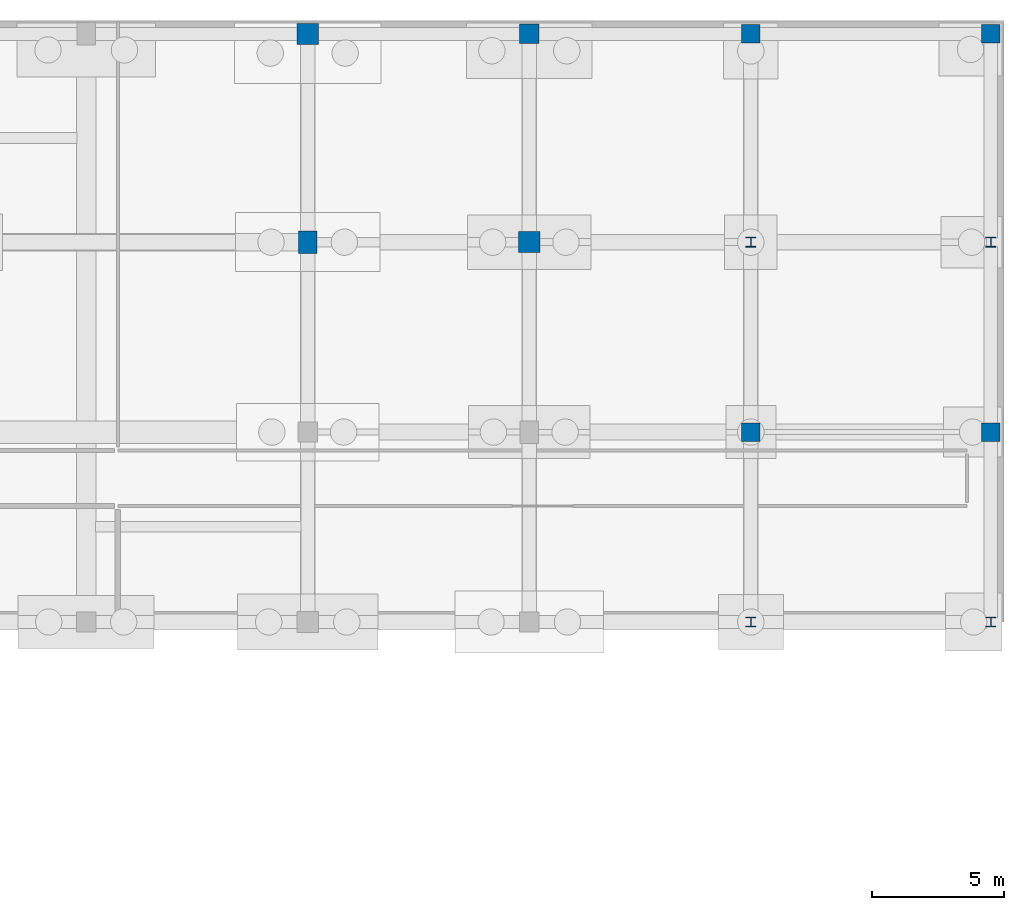
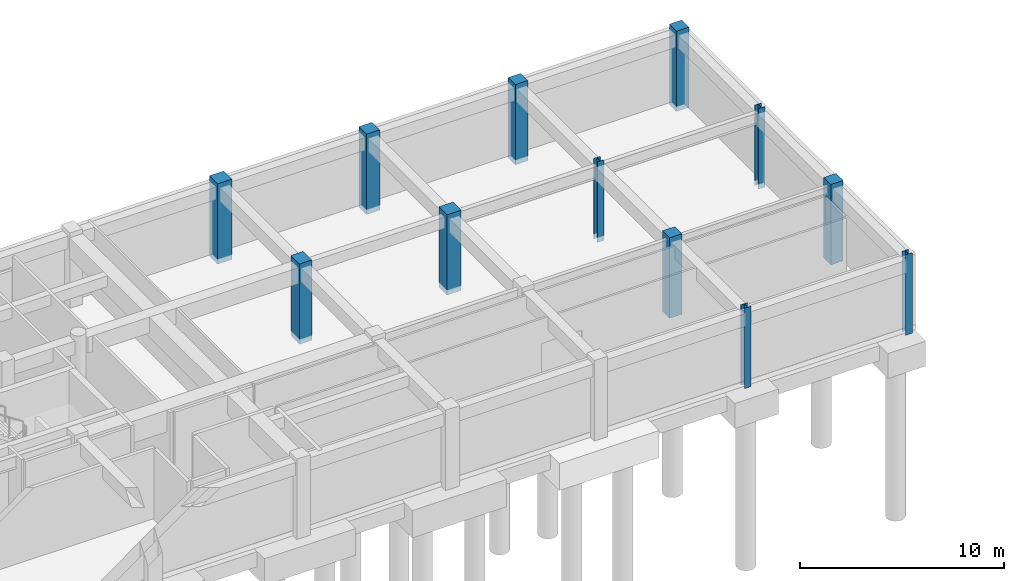
# One storey, part 18 of 42: 12 columns.
"""IFC4 building model written with IfcOpenShell, lengths in metres."""

from ifc_helpers import new_model, si_unit, direction, frame, origin, origin_2d, place, context, subcontext, project, spatial, rectangle, i_section, extrude, material, material_profile, profile_set, type_object, element, save


model = new_model("IFC4")

# Units and contexts
model_context = context("Model", 3, precision=1e-05, world=origin(), true_north=direction((0.0, 1.0)))
body_context = subcontext(model_context, "Body", "Model", "MODEL_VIEW")
ifc_project = project(units=[si_unit("LENGTHUNIT", "METRE"), si_unit("AREAUNIT", "SQUARE_METRE"), si_unit("VOLUMEUNIT", "CUBIC_METRE"), si_unit("PLANEANGLEUNIT", "RADIAN"), si_unit("MASSUNIT", "GRAM", prefix="KILO")], contexts=[model_context])

# Site, building, storey
site_placement = place(None, origin())
site = spatial("IfcSite", under=ifc_project, at=site_placement, CompositionType="ELEMENT")
building_placement = place(site_placement, origin())
building = spatial("IfcBuilding", under=site, at=building_placement, Name="Quendrovan Civic Courthouse", CompositionType="ELEMENT")
storey_placement = place(building_placement, frame((0.0, 0.0, -4.5)))
storey = spatial("IfcBuildingStorey", under=building, at=storey_placement, Name="B1", CompositionType="ELEMENT", Elevation=-4.5)

# Columns
ifc_material_1 = material(Name="Concrete C40/50", Category="concrete")
ifc_material_profile_1 = material_profile(ifc_material_1, rectangle(XDim=0.699951171875, YDim=0.85009765625, at=origin_2d()), Name="RC-COL-700x850")
ifc_profile_set_1 = profile_set([ifc_material_profile_1], Name="Concrete C40/50")
column_type_1 = type_object("IfcColumnType", Name="COL-RC-700x850", PredefinedType="COLUMN", material=ifc_profile_set_1)
column_1_placement = place(storey_placement, frame((134.39990234375, 102.0, -0.300048828125), z_axis=(0.0, 0.0, 1.0), x_axis=(1.0, 0.0, 0.0)))
element("IfcColumn", 1, at=column_1_placement, inside=storey, type_object=column_type_1, Name="B1 Column 17-P", PredefinedType="COLUMN", context=body_context, shape_type="SweptSolid", body=[
    extrude(rectangle(XDim=0.699951171875, YDim=0.85009765625, at=origin_2d()), origin(), (0.0, 0.0, 1.0), 4.800048828125),
])
ifc_material_2 = material(Name="Concrete C45/55", Category="concrete")
ifc_material_profile_2 = material_profile(ifc_material_2, rectangle(XDim=0.699951171875, YDim=0.699951171875, at=origin_2d()), Name="RC-COL-700x700")
ifc_profile_set_2 = profile_set([ifc_material_profile_2], Name="Concrete C45/55")
column_type_2 = type_object("IfcColumnType", Name="COL-RC700", PredefinedType="COLUMN", material=ifc_profile_set_2)
for number, where, z_axis, x_axis, name in (
    (2, (151.199951171875, 94.800048828125, -0.300048828125), (0.0, 0.0, 1.0), (1.0, 0.0, 0.0), "B1 Column 19-N"),
    (3, (151.199951171875, 109.89990234375, -0.300048828125), (0.0, 0.0, 1.0), (1.0, 0.0, 0.0), "B1 Column 19-Q"),
    (4, (160.300048828125, 94.800048828125, -0.300048828125), (0.0, 0.0, 1.0), (1.0, 0.0, 0.0), "B1 Column 20-N"),
    (5, (160.300048828125, 109.89990234375, -0.300048828125), (0.0, 0.0, 1.0), (1.0, 0.0, 0.0), "B1 Column 20-Q"),
):
    element("IfcColumn", number, at=place(storey_placement, frame(where, z_axis=z_axis, x_axis=x_axis)), inside=storey, type_object=column_type_2, Name=name, PredefinedType="COLUMN", context=body_context, shape_type="SweptSolid", body=[
        extrude(rectangle(XDim=0.699951171875, YDim=0.699951171875, at=origin_2d()), origin(), (0.0, 0.0, 1.0), 4.800048828125),
    ])
ifc_material_profile_3 = material_profile(ifc_material_2, rectangle(XDim=0.75, YDim=0.75, at=origin_2d()), Name="RC-COL-750x750")
ifc_profile_set_3 = profile_set([ifc_material_profile_3], Name="Concrete C45/55")
column_type_3 = type_object("IfcColumnType", Name="COL-RC750", PredefinedType="COLUMN", material=ifc_profile_set_3)
column_2_placement = place(storey_placement, frame((142.800048828125, 109.89990234375, -0.300048828125), z_axis=(0.0, 0.0, 1.0), x_axis=(1.0, 0.0, 0.0)))
element("IfcColumn", 6, at=column_2_placement, inside=storey, type_object=column_type_3, Name="B1 Column 18-Q", PredefinedType="COLUMN", context=body_context, shape_type="SweptSolid", body=[
    extrude(rectangle(XDim=0.75, YDim=0.75, at=origin_2d()), origin(), (0.0, 0.0, 1.0), 4.800048828125),
])
ifc_material_profile_4 = material_profile(ifc_material_2, rectangle(XDim=0.800048828125, YDim=0.800048828125, at=origin_2d()), Name="RC-COL-800x800")
ifc_profile_set_4 = profile_set([ifc_material_profile_4], Name="Concrete C45/55")
column_type_4 = type_object("IfcColumnType", Name="COL-RC800", PredefinedType="COLUMN", material=ifc_profile_set_4)
for number, where, z_axis, x_axis, name in (
    (7, (134.39990234375, 109.89990234375, -0.300048828125), (0.0, 0.0, 1.0), (1.0, 0.0, 0.0), "B1 Column 17-Q"),
    (8, (142.800048828125, 102.0, -0.300048828125), (0.0, 0.0, 1.0), (1.0, 0.0, 0.0), "B1 Column 18-P"),
):
    element("IfcColumn", number, at=place(storey_placement, frame(where, z_axis=z_axis, x_axis=x_axis)), inside=storey, type_object=column_type_4, Name=name, PredefinedType="COLUMN", context=body_context, shape_type="SweptSolid", body=[
        extrude(rectangle(XDim=0.800048828125, YDim=0.800048828125, at=origin_2d()), origin(), (0.0, 0.0, 1.0), 4.800048828125),
    ])
ifc_material_3 = material(Name="Steel ASTM A992 Grade 50", Category="steel")
ifc_material_profile_5 = material_profile(ifc_material_3, i_section(OverallWidth=0.3740234375, OverallDepth=0.3720703125, WebThickness=0.016357421875, FlangeThickness=0.026123046875, at=origin_2d()), Name="W14X132")
ifc_profile_set_5 = profile_set([ifc_material_profile_5], Name="Steel ASTM A992 Grade 50")
column_type_5 = type_object("IfcColumnType", Name="COL-STL-W14X132", PredefinedType="COLUMN", material=ifc_profile_set_5)
for number, where, z_axis, x_axis, name in (
    (9, (151.199951171875, 87.60009765625, -0.300048828125), (0.0, 0.0, 1.0), (1.0, 0.0, 0.0), "B1 Column 19-M"),
    (10, (151.199951171875, 102.0, -0.300048828125), (0.0, 0.0, 1.0), (1.0, 0.0, 0.0), "B1 Column 19-P"),
    (11, (160.300048828125, 87.60009765625, -0.300048828125), (0.0, 0.0, 1.0), (1.0, 0.0, 0.0), "B1 Column 20-M"),
    (12, (160.300048828125, 102.0, -0.300048828125), (0.0, 0.0, 1.0), (1.0, 0.0, 0.0), "B1 Column 20-P"),
):
    element("IfcColumn", number, at=place(storey_placement, frame(where, z_axis=z_axis, x_axis=x_axis)), inside=storey, type_object=column_type_5, Name=name, PredefinedType="COLUMN", context=body_context, shape_type="SweptSolid", body=[
        extrude(i_section(OverallWidth=0.3740234375, OverallDepth=0.3720703125, WebThickness=0.016357421875, FlangeThickness=0.026123046875, at=origin_2d()), origin(), (0.0, 0.0, 1.0), 4.800048828125),
    ])

save(model, "model.ifc")
